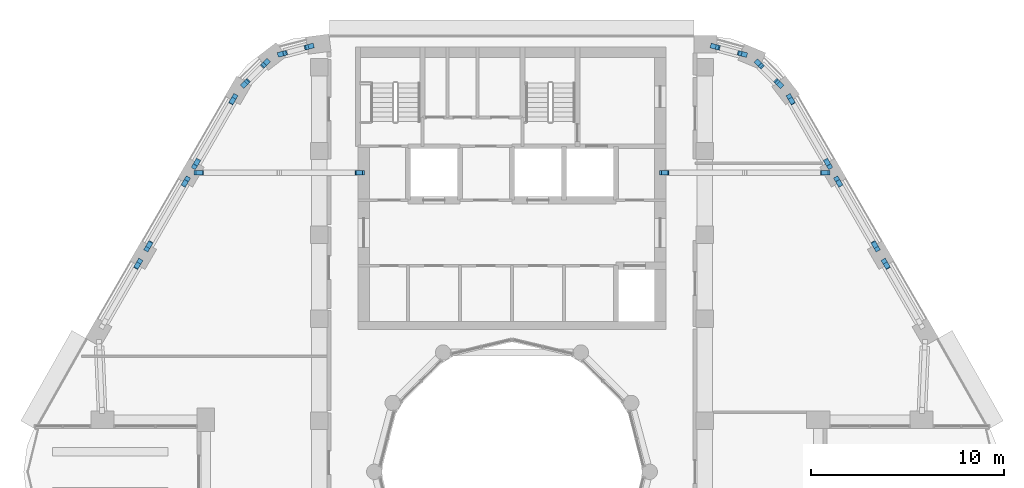
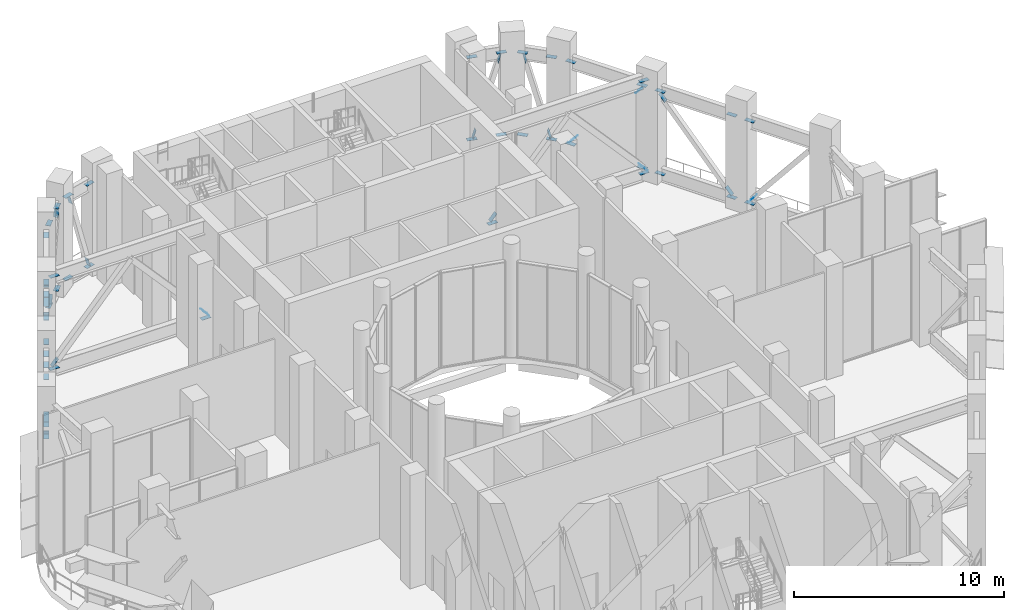
# One storey, part 14 of 19: 64 discrete accessories.
"""IFC4 building model written with IfcOpenShell, lengths in metres."""

from ifc_helpers import new_model, si_unit, direction, frame, origin, origin_2d, place, context, subcontext, project, spatial, rectangle, extrude, material, material_profile, profile_set, type_object, element, save


model = new_model("IFC4")

# Units and contexts
model_context = context("Model", 3, precision=1e-05, world=origin(), true_north=direction((0.0, 1.0)))
body_context = subcontext(model_context, "Body", "Model", "MODEL_VIEW")
ifc_project = project(units=[si_unit("LENGTHUNIT", "METRE"), si_unit("AREAUNIT", "SQUARE_METRE"), si_unit("VOLUMEUNIT", "CUBIC_METRE"), si_unit("PLANEANGLEUNIT", "RADIAN"), si_unit("MASSUNIT", "GRAM", prefix="KILO")], contexts=[model_context])

# Site, building, storey
site_placement = place(None, origin())
site = spatial("IfcSite", under=ifc_project, at=site_placement, CompositionType="ELEMENT")
building_placement = place(site_placement, origin())
building = spatial("IfcBuilding", under=site, at=building_placement, Name="Nakaniwa Court", CompositionType="ELEMENT")
storey_placement = place(building_placement, frame((0.0, 0.0, 219.60009765625)))
storey = spatial("IfcBuildingStorey", under=building, at=storey_placement, Name="S4", CompositionType="ELEMENT", Elevation=219.60009765625)

# Discrete accessories
ifc_material = material(Name="Steel Grade 350", Category="steel")
ifc_material_profile = material_profile(ifc_material, rectangle(XDim=0.25, YDim=0.02001953125, at=origin_2d()), Name="Truss end gusset plate 250x20")
ifc_profile_set = profile_set([ifc_material_profile], Name="Steel Grade 350")
discrete_accessory_type = type_object("IfcDiscreteAccessoryType", Name="Truss end gusset plate 250x20", PredefinedType="BRACKET", material=ifc_profile_set)
for number, where, z_axis, x_axis, name in (
    (1, (69.22509765625, 102.005615234375, 0.39599609375), (0.966202518502, 0.257784198974, 0.0), (-0.257784198974, 0.966202518502, 0.0), "Gusset plate GU-451"),
    (2, (68.324951171875, 101.76611328125, 0.39599609375), (-0.966202518502, -0.257784198974, 0.0), (0.257784198974, -0.966202518502, 0.0), "Gusset plate GU-452"),
    (3, (69.22509765625, 102.005615234375, 5.19384765625), (0.966202518502, 0.257784198974, 0.0), (-0.257784198974, 0.966202518502, 0.0), "Gusset plate GU-453"),
    (4, (68.324951171875, 101.76611328125, 5.19384765625), (-0.966202518502, -0.257784198974, 0.0), (0.257784198974, -0.966202518502, 0.0), "Gusset plate GU-454"),
    (5, (69.29150390625, 102.023193359375, 0.93603515625), (0.266660313911, 0.071304772584, -0.961149263326), (-0.258323338922, 0.96605851405, 0.0), "Gusset plate GU-455"),
    (6, (68.2587890625, 101.748291015625, 4.65380859375), (-0.267123154192, -0.070809611258, 0.961057344516), (0.256232540278, -0.966615169187, 0.0), "Gusset plate GU-456"),
    (7, (67.018798828125, 101.025390625, 0.39599609375), (0.706129440801, 0.708082772587, 0.0), (-0.708082772587, 0.706129440801, 0.0), "Gusset plate GU-457"),
    (8, (66.34130859375, 100.345458984375, 0.39599609375), (-0.70588531772, -0.70832613832, 0.0), (0.70832613832, -0.70588531772, 0.0), "Gusset plate GU-458"),
    (9, (67.018798828125, 101.025390625, 5.19384765625), (0.706129440801, 0.708082772587, 0.0), (-0.708082772587, 0.706129440801, 0.0), "Gusset plate GU-459"),
    (10, (66.34130859375, 100.345458984375, 5.19384765625), (-0.70588531772, -0.70832613832, 0.0), (0.70832613832, -0.70588531772, 0.0), "Gusset plate GU-460"),
):
    element("IfcDiscreteAccessory", number, at=place(storey_placement, frame(where, z_axis=z_axis, x_axis=x_axis)), inside=storey, type_object=discrete_accessory_type, Name=name, PredefinedType="BRACKET", context=body_context, shape_type="SweptSolid", body=[
        extrude(rectangle(XDim=0.25, YDim=0.02001953125, at=origin_2d()), origin(), (0.0, 0.0, 1.0), 0.5),
    ])
discrete_accessory_1_placement = place(storey_placement, frame((67.066650390625, 101.0732421875, 4.654052734375), z_axis=(0.199296287335, 0.199784758628, 0.959357618448), x_axis=(-0.707971742638, 0.706240760382, 0.0)))
element("IfcDiscreteAccessory", 11, at=discrete_accessory_1_placement, inside=storey, type_object=discrete_accessory_type, Name="Gusset plate GU-461", PredefinedType="BRACKET", context=body_context, shape_type="SweptSolid", body=[
    extrude(rectangle(XDim=0.25, YDim=0.02001953125, at=origin_2d()), origin(), (0.0, 0.0, 1.0), 0.499755859375),
])
for number, where, z_axis, x_axis, name in (
    (12, (66.29345703125, 100.297607421875, 0.935791015625), (-0.199745776403, -0.200234152384, -0.95917042752), (0.707969631694, -0.706242876495, 0.0), "Gusset plate GU-462"),
    (13, (65.421875, 99.14990234375, 0.39599609375), (0.499919672301, 0.866071776036, 0.0), (-0.866071776036, 0.499919672301, 0.0), "Gusset plate GU-463"),
):
    element("IfcDiscreteAccessory", number, at=place(storey_placement, frame(where, z_axis=z_axis, x_axis=x_axis)), inside=storey, type_object=discrete_accessory_type, Name=name, PredefinedType="BRACKET", context=body_context, shape_type="SweptSolid", body=[
        extrude(rectangle(XDim=0.25, YDim=0.02001953125, at=origin_2d()), origin(), (0.0, 0.0, 1.0), 0.5),
    ])
discrete_accessory_2_placement = place(storey_placement, frame((63.703857421875, 96.174072265625, 0.39599609375), z_axis=(-0.500131122175, -0.865949687125, 0.0), x_axis=(0.865949687125, -0.500131122175, 0.0)))
element("IfcDiscreteAccessory", 14, at=discrete_accessory_2_placement, inside=storey, type_object=discrete_accessory_type, Name="Gusset plate GU-464", PredefinedType="BRACKET", context=body_context, shape_type="SweptSolid", body=[
    extrude(rectangle(XDim=0.25, YDim=0.02001953125, at=origin_2d()), origin(), (0.0, 0.0, 1.0), 0.499755859375),
])
discrete_accessory_3_placement = place(storey_placement, frame((65.421875, 99.14990234375, 5.19384765625), z_axis=(0.499919672301, 0.866071776036, 0.0), x_axis=(-0.866071776036, 0.499919672301, 0.0)))
element("IfcDiscreteAccessory", 15, at=discrete_accessory_3_placement, inside=storey, type_object=discrete_accessory_type, Name="Gusset plate GU-465", PredefinedType="BRACKET", context=body_context, shape_type="SweptSolid", body=[
    extrude(rectangle(XDim=0.25, YDim=0.02001953125, at=origin_2d()), origin(), (0.0, 0.0, 1.0), 0.5),
])
for number, where, z_axis, x_axis, name in (
    (16, (63.703857421875, 96.174072265625, 5.19384765625), (-0.500131122175, -0.865949687125, 0.0), (0.865949687125, -0.500131122175, 0.0), "Gusset plate GU-466"),
    (17, (65.397216796875, 99.107421875, 0.904296875), (0.331152050617, 0.572922353059, -0.749732149996), (-0.865779801825, 0.500425153996, 0.0), "Gusset plate GU-467"),
):
    element("IfcDiscreteAccessory", number, at=place(storey_placement, frame(where, z_axis=z_axis, x_axis=x_axis)), inside=storey, type_object=discrete_accessory_type, Name=name, PredefinedType="BRACKET", context=body_context, shape_type="SweptSolid", body=[
        extrude(rectangle(XDim=0.25, YDim=0.02001953125, at=origin_2d()), origin(), (0.0, 0.0, 1.0), 0.499755859375),
    ])
discrete_accessory_4_placement = place(storey_placement, frame((63.728515625, 96.216796875, 4.685302734375), z_axis=(-0.330938248887, -0.573040566657, 0.749736209869), x_axis=(0.865964461276, -0.500105540669, 0.0)))
element("IfcDiscreteAccessory", 18, at=discrete_accessory_4_placement, inside=storey, type_object=discrete_accessory_type, Name="Gusset plate GU-468", PredefinedType="BRACKET", context=body_context, shape_type="SweptSolid", body=[
    extrude(rectangle(XDim=0.25, YDim=0.02001953125, at=origin_2d()), origin(), (0.0, 0.0, 1.0), 0.500244140625),
])
discrete_accessory_5_placement = place(storey_placement, frame((62.953857421875, 94.875, 0.39599609375), z_axis=(0.499919672301, 0.866071776036, 0.0), x_axis=(-0.866071776036, 0.499919672301, 0.0)))
element("IfcDiscreteAccessory", 19, at=discrete_accessory_5_placement, inside=storey, type_object=discrete_accessory_type, Name="Gusset plate GU-469", PredefinedType="BRACKET", context=body_context, shape_type="SweptSolid", body=[
    extrude(rectangle(XDim=0.25, YDim=0.02001953125, at=origin_2d()), origin(), (0.0, 0.0, 1.0), 0.5),
])
discrete_accessory_6_placement = place(storey_placement, frame((61.235595703125, 91.899169921875, 0.39599609375), z_axis=(-0.500131122175, -0.865949687125, 0.0), x_axis=(0.865949687125, -0.500131122175, 0.0)))
element("IfcDiscreteAccessory", 20, at=discrete_accessory_6_placement, inside=storey, type_object=discrete_accessory_type, Name="Gusset plate GU-470", PredefinedType="BRACKET", context=body_context, shape_type="SweptSolid", body=[
    extrude(rectangle(XDim=0.25, YDim=0.02001953125, at=origin_2d()), origin(), (0.0, 0.0, 1.0), 0.499755859375),
])
discrete_accessory_7_placement = place(storey_placement, frame((62.953857421875, 94.875, 5.19384765625), z_axis=(0.499919672301, 0.866071776036, 0.0), x_axis=(-0.866071776036, 0.499919672301, 0.0)))
element("IfcDiscreteAccessory", 21, at=discrete_accessory_7_placement, inside=storey, type_object=discrete_accessory_type, Name="Gusset plate GU-471", PredefinedType="BRACKET", context=body_context, shape_type="SweptSolid", body=[
    extrude(rectangle(XDim=0.25, YDim=0.02001953125, at=origin_2d()), origin(), (0.0, 0.0, 1.0), 0.5),
])
discrete_accessory_8_placement = place(storey_placement, frame((61.235595703125, 91.899169921875, 5.19384765625), z_axis=(-0.500131122175, -0.865949687125, 0.0), x_axis=(0.865949687125, -0.500131122175, 0.0)))
element("IfcDiscreteAccessory", 22, at=discrete_accessory_8_placement, inside=storey, type_object=discrete_accessory_type, Name="Gusset plate GU-472", PredefinedType="BRACKET", context=body_context, shape_type="SweptSolid", body=[
    extrude(rectangle(XDim=0.25, YDim=0.02001953125, at=origin_2d()), origin(), (0.0, 0.0, 1.0), 0.499755859375),
])
for number, where, z_axis, x_axis, name in (
    (23, (62.92919921875, 94.83251953125, 4.685302734375), (0.330595965154, 0.572805121308, 0.75006706422), (-0.866099526492, 0.499871593722, 0.0), "Gusset plate GU-473"),
    (24, (61.26025390625, 91.94189453125, 0.904296875), (-0.330624506873, -0.573342941017, -0.749643453544), (0.866283845548, -0.499552098327, 0.0), "Gusset plate GU-474"),
    (25, (60.485595703125, 90.60009765625, 0.39599609375), (0.499919672301, 0.866071776036, 0.0), (-0.866071776036, 0.499919672301, 0.0), "Gusset plate GU-475"),
    (26, (60.485595703125, 90.60009765625, 5.19384765625), (0.499919672301, 0.866071776036, 0.0), (-0.866071776036, 0.499919672301, 0.0), "Gusset plate GU-477"),
    (27, (60.46337890625, 90.561767578125, 0.908447265625), (0.314523584368, 0.544555584737, -0.777517929059), (-0.865939822254, 0.500148202271, 0.0), "Gusset plate GU-479"),
    (28, (99.514404296875, 90.60009765625, 0.39599609375), (-0.499919672301, 0.866071776036, 0.0), (-0.866071776036, -0.499919672301, 0.0), "Gusset plate GU-546"),
    (29, (99.514404296875, 90.60009765625, 5.19384765625), (-0.499919672301, 0.866071776036, 0.0), (-0.866071776036, -0.499919672301, 0.0), "Gusset plate GU-548"),
    (30, (99.53662109375, 90.561767578125, 0.908447265625), (-0.314523584368, 0.544555584737, -0.777517929059), (-0.865939822254, -0.500148202271, 0.0), "Gusset plate GU-550"),
):
    element("IfcDiscreteAccessory", number, at=place(storey_placement, frame(where, z_axis=z_axis, x_axis=x_axis)), inside=storey, type_object=discrete_accessory_type, Name=name, PredefinedType="BRACKET", context=body_context, shape_type="SweptSolid", body=[
        extrude(rectangle(XDim=0.25, YDim=0.02001953125, at=origin_2d()), origin(), (0.0, 0.0, 1.0), 0.5),
    ])
discrete_accessory_9_placement = place(storey_placement, frame((98.764404296875, 91.899169921875, 0.39599609375), z_axis=(0.500131122175, -0.865949687125, 0.0), x_axis=(0.865949687125, 0.500131122175, 0.0)))
element("IfcDiscreteAccessory", 31, at=discrete_accessory_9_placement, inside=storey, type_object=discrete_accessory_type, Name="Gusset plate GU-551", PredefinedType="BRACKET", context=body_context, shape_type="SweptSolid", body=[
    extrude(rectangle(XDim=0.25, YDim=0.02001953125, at=origin_2d()), origin(), (0.0, 0.0, 1.0), 0.499755859375),
])
discrete_accessory_10_placement = place(storey_placement, frame((97.046142578125, 94.875, 0.39599609375), z_axis=(-0.499919672301, 0.866071776036, 0.0), x_axis=(-0.866071776036, -0.499919672301, 0.0)))
element("IfcDiscreteAccessory", 32, at=discrete_accessory_10_placement, inside=storey, type_object=discrete_accessory_type, Name="Gusset plate GU-552", PredefinedType="BRACKET", context=body_context, shape_type="SweptSolid", body=[
    extrude(rectangle(XDim=0.25, YDim=0.02001953125, at=origin_2d()), origin(), (0.0, 0.0, 1.0), 0.5),
])
discrete_accessory_11_placement = place(storey_placement, frame((98.764404296875, 91.899169921875, 5.19384765625), z_axis=(0.500131122175, -0.865949687125, 0.0), x_axis=(0.865949687125, 0.500131122175, 0.0)))
element("IfcDiscreteAccessory", 33, at=discrete_accessory_11_placement, inside=storey, type_object=discrete_accessory_type, Name="Gusset plate GU-553", PredefinedType="BRACKET", context=body_context, shape_type="SweptSolid", body=[
    extrude(rectangle(XDim=0.25, YDim=0.02001953125, at=origin_2d()), origin(), (0.0, 0.0, 1.0), 0.499755859375),
])
for number, where, z_axis, x_axis, name in (
    (34, (97.046142578125, 94.875, 5.19384765625), (-0.499919672301, 0.866071776036, 0.0), (-0.866071776036, -0.499919672301, 0.0), "Gusset plate GU-554"),
    (35, (98.73974609375, 91.94189453125, 0.904296875), (0.330624506873, -0.573342941017, -0.749643453544), (0.866283845548, 0.499552098327, 0.0), "Gusset plate GU-555"),
    (36, (97.07080078125, 94.83251953125, 4.685302734375), (-0.330595965154, 0.572805121308, 0.75006706422), (-0.866099526492, -0.499871593722, 0.0), "Gusset plate GU-556"),
):
    element("IfcDiscreteAccessory", number, at=place(storey_placement, frame(where, z_axis=z_axis, x_axis=x_axis)), inside=storey, type_object=discrete_accessory_type, Name=name, PredefinedType="BRACKET", context=body_context, shape_type="SweptSolid", body=[
        extrude(rectangle(XDim=0.25, YDim=0.02001953125, at=origin_2d()), origin(), (0.0, 0.0, 1.0), 0.5),
    ])
discrete_accessory_12_placement = place(storey_placement, frame((96.296142578125, 96.174072265625, 0.39599609375), z_axis=(0.500131122175, -0.865949687125, 0.0), x_axis=(0.865949687125, 0.500131122175, 0.0)))
element("IfcDiscreteAccessory", 37, at=discrete_accessory_12_placement, inside=storey, type_object=discrete_accessory_type, Name="Gusset plate GU-557", PredefinedType="BRACKET", context=body_context, shape_type="SweptSolid", body=[
    extrude(rectangle(XDim=0.25, YDim=0.02001953125, at=origin_2d()), origin(), (0.0, 0.0, 1.0), 0.499755859375),
])
discrete_accessory_13_placement = place(storey_placement, frame((94.580810546875, 99.1455078125, 0.39599609375), z_axis=(-0.499919672301, 0.866071776036, 0.0), x_axis=(-0.866071776036, -0.499919672301, 0.0)))
element("IfcDiscreteAccessory", 38, at=discrete_accessory_13_placement, inside=storey, type_object=discrete_accessory_type, Name="Gusset plate GU-558", PredefinedType="BRACKET", context=body_context, shape_type="SweptSolid", body=[
    extrude(rectangle(XDim=0.25, YDim=0.02001953125, at=origin_2d()), origin(), (0.0, 0.0, 1.0), 0.5),
])
discrete_accessory_14_placement = place(storey_placement, frame((96.296142578125, 96.174072265625, 5.19384765625), z_axis=(0.500131122175, -0.865949687125, 0.0), x_axis=(0.865949687125, 0.500131122175, 0.0)))
element("IfcDiscreteAccessory", 39, at=discrete_accessory_14_placement, inside=storey, type_object=discrete_accessory_type, Name="Gusset plate GU-559", PredefinedType="BRACKET", context=body_context, shape_type="SweptSolid", body=[
    extrude(rectangle(XDim=0.25, YDim=0.02001953125, at=origin_2d()), origin(), (0.0, 0.0, 1.0), 0.499755859375),
])
discrete_accessory_15_placement = place(storey_placement, frame((94.580810546875, 99.1455078125, 5.19384765625), z_axis=(-0.499919672301, 0.866071776036, 0.0), x_axis=(-0.866071776036, -0.499919672301, 0.0)))
element("IfcDiscreteAccessory", 40, at=discrete_accessory_15_placement, inside=storey, type_object=discrete_accessory_type, Name="Gusset plate GU-560", PredefinedType="BRACKET", context=body_context, shape_type="SweptSolid", body=[
    extrude(rectangle(XDim=0.25, YDim=0.02001953125, at=origin_2d()), origin(), (0.0, 0.0, 1.0), 0.5),
])
discrete_accessory_16_placement = place(storey_placement, frame((96.271484375, 96.216796875, 4.685302734375), z_axis=(0.330909631381, -0.572502946326, 0.75015944459), x_axis=(0.865779801825, 0.500425153996, 0.0)))
element("IfcDiscreteAccessory", 41, at=discrete_accessory_16_placement, inside=storey, type_object=discrete_accessory_type, Name="Gusset plate GU-561", PredefinedType="BRACKET", context=body_context, shape_type="SweptSolid", body=[
    extrude(rectangle(XDim=0.25, YDim=0.02001953125, at=origin_2d()), origin(), (0.0, 0.0, 1.0), 0.500244140625),
])
for number, where, z_axis, x_axis, name in (
    (42, (94.605224609375, 99.102783203125, 0.904296875), (-0.330595965154, 0.572805121308, -0.75006706422), (-0.866099526492, -0.499871593722, 0.0), "Gusset plate GU-562"),
    (43, (93.669921875, 100.334228515625, 0.39599609375), (0.70588531772, -0.70832613832, 0.0), (0.70832613832, 0.70588531772, 0.0), "Gusset plate GU-563"),
    (44, (93.0126953125, 100.993896484375, 0.39599609375), (-0.706129440801, 0.708082772587, 0.0), (-0.708082772587, -0.706129440801, 0.0), "Gusset plate GU-564"),
    (45, (93.669921875, 100.334228515625, 5.19384765625), (0.70588531772, -0.70832613832, 0.0), (0.70832613832, 0.70588531772, 0.0), "Gusset plate GU-565"),
    (46, (93.0126953125, 100.993896484375, 5.19384765625), (-0.706129440801, 0.708082772587, 0.0), (-0.708082772587, -0.706129440801, 0.0), "Gusset plate GU-566"),
    (47, (93.718505859375, 100.28564453125, 0.93603515625), (0.194853906902, -0.195830618214, -0.961083931785), (0.708872332917, 0.705336810059, 0.0), "Gusset plate GU-567"),
    (48, (92.964111328125, 101.042236328125, 4.65380859375), (-0.194853906902, 0.195830618214, 0.961083931785), (-0.708872332917, -0.705336810059, 0.0), "Gusset plate GU-568"),
    (49, (91.718017578125, 101.754638671875, 0.39599609375), (0.966324029977, -0.257328329357, 0.0), (0.257328329357, 0.966324029977, 0.0), "Gusset plate GU-569"),
    (50, (90.790283203125, 102.001708984375, 0.39599609375), (-0.966445356824, 0.256872287867, 0.0), (-0.256872287867, -0.966445356824, 0.0), "Gusset plate GU-570"),
    (51, (91.718017578125, 101.754638671875, 5.19384765625), (0.966324029977, -0.257328329357, 0.0), (0.257328329357, 0.966324029977, 0.0), "Gusset plate GU-571"),
    (52, (90.790283203125, 102.001708984375, 5.19384765625), (-0.966445356824, 0.256872287867, 0.0), (-0.256872287867, -0.966445356824, 0.0), "Gusset plate GU-572"),
    (53, (91.783203125, 101.7373046875, 4.654052734375), (0.273476852216, -0.07276437675, 0.959122388842), (0.257125574974, 0.966377999902, 0.0), "Gusset plate GU-573"),
    (54, (90.72509765625, 102.01904296875, 0.935791015625), (-0.273476852216, 0.07276437675, -0.959122388842), (-0.257125574974, -0.966377999902, 0.0), "Gusset plate GU-574"),
    (55, (88.14990234375, 95.524658203125, 0.407958984375), (-1.0, 0.0, 0.0), (0.0, -1.0, 0.0), "Gusset plate GU-575"),
    (56, (96.001708984375, 95.524658203125, 0.407958984375), (1.0, 0.0, 0.0), (0.0, 1.0, 0.0), "Gusset plate GU-576"),
    (57, (96.001708984375, 95.524658203125, 5.781982421875), (1.0, 0.0, 0.0), (0.0, 1.0, 0.0), "Gusset plate GU-577"),
):
    element("IfcDiscreteAccessory", number, at=place(storey_placement, frame(where, z_axis=z_axis, x_axis=x_axis)), inside=storey, type_object=discrete_accessory_type, Name=name, PredefinedType="BRACKET", context=body_context, shape_type="SweptSolid", body=[
        extrude(rectangle(XDim=0.25, YDim=0.02001953125, at=origin_2d()), origin(), (0.0, 0.0, 1.0), 0.5),
    ])
for number, where, z_axis, x_axis, name in (
    (58, (88.10009765625, 95.524658203125, 0.927734375), (-0.666723520978, 0.0, -0.745305136555), (0.0, -1.0, 0.0), "Gusset plate GU-578"),
    (59, (96.051513671875, 95.524658203125, 0.927734375), (0.666723520978, 0.0, -0.745305136555), (0.0, 1.0, 0.0), "Gusset plate GU-579"),
):
    element("IfcDiscreteAccessory", number, at=place(storey_placement, frame(where, z_axis=z_axis, x_axis=x_axis)), inside=storey, type_object=discrete_accessory_type, Name=name, PredefinedType="BRACKET", context=body_context, shape_type="SweptSolid", body=[
        extrude(rectangle(XDim=0.25, YDim=0.02001953125, at=origin_2d()), origin(), (0.0, 0.0, 1.0), 0.500244140625),
    ])
for number, where, z_axis, x_axis, name in (
    (60, (71.85009765625, 95.524658203125, 0.407958984375), (1.0, 0.0, 0.0), (0.0, 1.0, 0.0), "Gusset plate GU-580"),
    (61, (63.998291015625, 95.524658203125, 0.407958984375), (-1.0, 0.0, 0.0), (0.0, -1.0, 0.0), "Gusset plate GU-581"),
    (62, (63.998291015625, 95.524658203125, 5.781982421875), (-1.0, 0.0, 0.0), (0.0, -1.0, 0.0), "Gusset plate GU-582"),
):
    element("IfcDiscreteAccessory", number, at=place(storey_placement, frame(where, z_axis=z_axis, x_axis=x_axis)), inside=storey, type_object=discrete_accessory_type, Name=name, PredefinedType="BRACKET", context=body_context, shape_type="SweptSolid", body=[
        extrude(rectangle(XDim=0.25, YDim=0.02001953125, at=origin_2d()), origin(), (0.0, 0.0, 1.0), 0.5),
    ])
for number, where, z_axis, x_axis, name in (
    (63, (71.89990234375, 95.524658203125, 0.927734375), (0.666723520978, 0.0, -0.745305136555), (0.0, 1.0, 0.0), "Gusset plate GU-583"),
    (64, (63.948486328125, 95.524658203125, 0.927734375), (-0.666723520978, 0.0, -0.745305136555), (0.0, -1.0, 0.0), "Gusset plate GU-584"),
):
    element("IfcDiscreteAccessory", number, at=place(storey_placement, frame(where, z_axis=z_axis, x_axis=x_axis)), inside=storey, type_object=discrete_accessory_type, Name=name, PredefinedType="BRACKET", context=body_context, shape_type="SweptSolid", body=[
        extrude(rectangle(XDim=0.25, YDim=0.02001953125, at=origin_2d()), origin(), (0.0, 0.0, 1.0), 0.500244140625),
    ])

save(model, "model.ifc")
